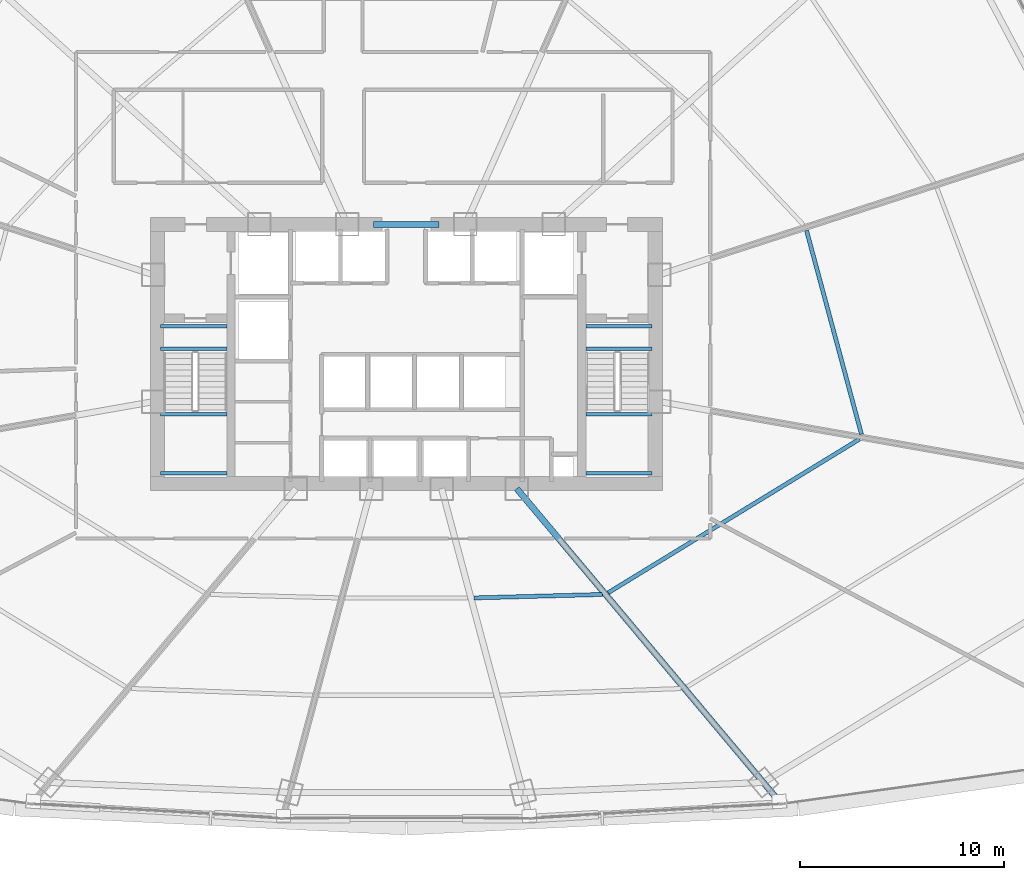
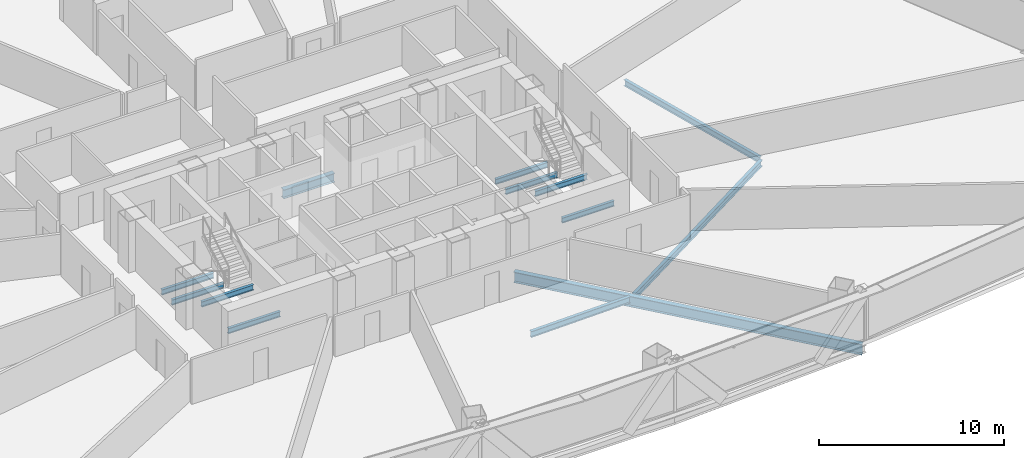
# One storey, part 13 of 37: 13 beams.
"""IFC4 building model written with IfcOpenShell, lengths in metres."""

import ifcopenshell
import ifcopenshell.guid

model = None  # the IFC model being written
_history = None  # IfcOwnerHistory: only IFC2X3 demands one
_inside = {}  # id of a spatial element -> (the spatial element, [elements in it])
_under = {}  # id of a project, library or spatial element -> (it, [spatial elements below it])
_declared = {}  # id of a project -> (the project, [libraries it declares])
_typed = {}  # id of a type object -> (the type object, [elements of that type])
_made_of = {}  # id of a material, layer set ... -> (it, [elements and type objects made of it])


def new_model(schema):
    """Start an empty IFC model of exactly this schema.

    Asked for "IFC4X3", IfcOpenShell would pick the latest addendum, in which some entities
    have other attributes; the version numbers below select the first issue.
    IFC2X3 requires an IfcOwnerHistory on every rooted entity: one is made here for all.
    """
    global model, _history
    if schema == "IFC4X3":
        model = ifcopenshell.file(schema_version=(4, 3, 0, 0))
    else:
        model = ifcopenshell.file(schema=schema)
    _inside.clear()
    _under.clear()
    _declared.clear()
    _typed.clear()
    _made_of.clear()
    _history = None
    if model.schema == "IFC2X3":
        org = make("IfcOrganization", Name="unknown")
        user = make(
            "IfcPersonAndOrganization",
            ThePerson=make("IfcPerson", FamilyName="unknown"),
            TheOrganization=org,
        )
        app = make(
            "IfcApplication",
            ApplicationDeveloper=org,
            Version="unknown",
            ApplicationFullName="unknown",
            ApplicationIdentifier="unknown",
        )
        _history = make(
            "IfcOwnerHistory",
            OwningUser=user,
            OwningApplication=app,
            ChangeAction="ADDED",
            CreationDate=0,
        )
    return model


def make(cls, **values):
    """One entity of the class cls with the attributes given. An attribute that is None is left unset."""
    return model.create_entity(
        cls, **{name: value for name, value in values.items() if value is not None}
    )


def rooted(cls, **values):
    """An entity with a GlobalId (a new one), such as an element, a storey or a relation."""
    return make(cls, GlobalId=ifcopenshell.guid.new(), OwnerHistory=_history, **values)


def si_unit(unit_type, name, prefix=None):
    """IfcSIUnit, for example si_unit("LENGTHUNIT", "METRE", prefix="MILLI")."""
    return make("IfcSIUnit", UnitType=unit_type, Prefix=prefix, Name=name)


def assignment(units):
    """IfcUnitAssignment: the units of a project."""
    return None if units is None else make("IfcUnitAssignment", Units=units)


def point(xyz):
    """IfcCartesianPoint."""
    return None if xyz is None else make("IfcCartesianPoint", Coordinates=xyz)


def direction(xyz):
    """IfcDirection."""
    return None if xyz is None else make("IfcDirection", DirectionRatios=xyz)


def frame(location, z_axis=None, x_axis=None):
    """IfcAxis2Placement3D, a coordinate frame: its origin and axes. An axis left out is left unset."""
    return make(
        "IfcAxis2Placement3D",
        Location=point(location),
        Axis=direction(z_axis),
        RefDirection=direction(x_axis),
    )


def frame_2d(location, x_axis=None):
    """IfcAxis2Placement2D, a coordinate frame in the plane: its origin and x axis."""
    return make(
        "IfcAxis2Placement2D", Location=point(location), RefDirection=direction(x_axis)
    )


def origin():
    """The frame at (0, 0, 0) with its axes left unset."""
    return frame((0.0, 0.0, 0.0))


def origin_2d():
    """The frame at (0, 0) in the plane with its x axis left unset."""
    return frame_2d((0.0, 0.0))


def place(relative_to, where):
    """IfcLocalPlacement: puts the frame where relative to a parent placement (None: the world)."""
    return make(
        "IfcLocalPlacement", PlacementRelTo=relative_to, RelativePlacement=where
    )


def context(
    kind, dimensions, precision=None, world=None, true_north=None, identifier=None
):
    """IfcGeometricRepresentationContext, for example the 3D "Model" context."""
    return make(
        "IfcGeometricRepresentationContext",
        ContextIdentifier=identifier,
        ContextType=kind,
        CoordinateSpaceDimension=dimensions,
        Precision=precision,
        WorldCoordinateSystem=world,
        TrueNorth=true_north,
    )


def subcontext(parent, identifier, kind, view, scale=None):
    """IfcGeometricRepresentationSubContext, for example "Body" below "Model"."""
    return make(
        "IfcGeometricRepresentationSubContext",
        ContextIdentifier=identifier,
        ContextType=kind,
        ParentContext=parent,
        TargetScale=scale,
        TargetView=view,
    )


def project(units=None, contexts=None):
    """IfcProject with its units and contexts."""
    return rooted(
        "IfcProject",
        Name="project",
        RepresentationContexts=contexts,
        UnitsInContext=assignment(units),
    )


def spatial(cls, under=None, at=None, **own):
    """A site, building, storey or space (cls), placed at a placement, below another one or the project."""
    s = rooted(cls, ObjectPlacement=at, **own)
    if under is not None:
        _under.setdefault(under.id(), (under, []))[1].append(s)
    return s


def profile(cls, at=None, kind="AREA", **sizes):
    """A parametric profile (cls). Its sizes go by their IFC names, for example OverallWidth=200.0."""
    return make(cls, ProfileType=kind, Position=at, **sizes)


def i_section(**sizes):
    """IfcIShapeProfileDef."""
    return profile("IfcIShapeProfileDef", **sizes)


def extrude(swept, where, along, depth):
    """IfcExtrudedAreaSolid: the profile swept, set in the frame where, extruded along a direction by depth."""
    return make(
        "IfcExtrudedAreaSolid",
        SweptArea=swept,
        Position=where,
        ExtrudedDirection=direction(along),
        Depth=depth,
    )


def shape(context_of_items, identifier, shape_type, items):
    """IfcShapeRepresentation: the items that make up one representation, for example the "Body"."""
    return make(
        "IfcShapeRepresentation",
        ContextOfItems=context_of_items,
        RepresentationIdentifier=identifier,
        RepresentationType=shape_type,
        Items=items,
    )


def source(mapping_origin, context_of_items, identifier, shape_type, items):
    """IfcRepresentationMap: a shape defined once, which mapped items show again and again."""
    return make(
        "IfcRepresentationMap",
        MappingOrigin=mapping_origin,
        MappedRepresentation=shape(context_of_items, identifier, shape_type, items),
    )


def transform(
    local_origin,
    x_axis=None,
    y_axis=None,
    z_axis=None,
    scale=None,
    scale2=None,
    scale3=None,
    uniform=True,
):
    """IfcCartesianTransformationOperator3D, or its non-uniform kind. x_axis, y_axis, z_axis: its Axis1, 2, 3."""
    if uniform:
        return make(
            "IfcCartesianTransformationOperator3D",
            Axis1=direction(x_axis),
            Axis2=direction(y_axis),
            LocalOrigin=point(local_origin),
            Scale=scale,
            Axis3=direction(z_axis),
        )
    return make(
        "IfcCartesianTransformationOperator3DnonUniform",
        Axis1=direction(x_axis),
        Axis2=direction(y_axis),
        LocalOrigin=point(local_origin),
        Scale=scale,
        Axis3=direction(z_axis),
        Scale2=scale2,
        Scale3=scale3,
    )


def mapped(mapping_source, mapping_target):
    """IfcMappedItem: shows the shape of a source again, moved by a transform."""
    return make(
        "IfcMappedItem", MappingSource=mapping_source, MappingTarget=mapping_target
    )


def material(Name=None, Category=None):
    """IfcMaterial."""
    return make("IfcMaterial", Name=Name, Category=Category)


def material_profile(
    of_material, cross_section, Name=None, Category=None, Priority=None
):
    """IfcMaterialProfile: a cross section and its material."""
    return make(
        "IfcMaterialProfile",
        Name=Name,
        Material=of_material,
        Profile=cross_section,
        Priority=Priority,
        Category=Category,
    )


def profile_set(profiles, Name=None, composite=None):
    """IfcMaterialProfileSet."""
    return make(
        "IfcMaterialProfileSet",
        Name=Name,
        MaterialProfiles=profiles,
        CompositeProfile=composite,
    )


def made_of(thing, what):
    """Note that an element or type object is made of a material, layer set ...; save() writes the relation."""
    if what is not None:
        _made_of.setdefault(what.id(), (what, []))[1].append(thing)
    return thing


def type_object(cls, material=None, **own):
    """A type object (cls), such as IfcWallType, which elements share."""
    return made_of(rooted(cls, **own), material)


def element(
    cls,
    number,
    at=None,
    inside=None,
    cuts=None,
    type_object=None,
    material=None,
    context=None,
    identifier="Body",
    shape_type=None,
    held_by="IfcProductDefinitionShape",
    body=None,
    shapes=None,
    **own,
):
    """One element of the class cls, such as IfcWall. Its Tag is "e" and its number.

    at: its placement. inside: the storey or other place that contains it. cuts: it is an
    opening in that element (IfcRelVoidsElement). A single representation is given by context,
    identifier, shape_type and body (its items); several are given by shapes. held_by: the class
    of the entity that holds the representations. save() writes the other relations.
    """
    e = rooted(cls, Tag="e%d" % number, ObjectPlacement=at, **own)
    if body is not None:
        shapes = [shape(context, identifier, shape_type, body)]
    if shapes is not None:
        e.Representation = make(held_by, Representations=shapes)
    if inside is not None:
        _inside.setdefault(inside.id(), (inside, []))[1].append(e)
    if cuts is not None:
        rooted(
            "IfcRelVoidsElement", RelatingBuildingElement=cuts, RelatedOpeningElement=e
        )
    if type_object is not None:
        _typed.setdefault(type_object.id(), (type_object, []))[1].append(e)
    return made_of(e, material)


def aggregate(whole, parts):
    """IfcRelAggregates: a whole, such as a stair, and the parts it consists of."""
    return rooted("IfcRelAggregates", RelatingObject=whole, RelatedObjects=parts)


def save(model, path):
    """Write the relations noted so far, then the file.

    IfcRelAggregates (storeys below a building ...), IfcRelContainedInSpatialStructure (elements
    in a storey), IfcRelDefinesByType, IfcRelAssociatesMaterial and IfcRelDeclares: one each for
    every whole, place, type object, material and project.
    """
    for whole, parts in _under.values():
        aggregate(whole, parts)
    for where, things in _inside.values():
        rooted(
            "IfcRelContainedInSpatialStructure",
            RelatedElements=things,
            RelatingStructure=where,
        )
    for kind, things in _typed.values():
        rooted("IfcRelDefinesByType", RelatedObjects=things, RelatingType=kind)
    for what, things in _made_of.values():
        rooted("IfcRelAssociatesMaterial", RelatedObjects=things, RelatingMaterial=what)
    for by, libraries in _declared.values():
        rooted("IfcRelDeclares", RelatingContext=by, RelatedDefinitions=libraries)
    model.write(path)


model = new_model("IFC4")

# Units and contexts
model_context = context("Model", 3, precision=1e-05, world=origin(), true_north=direction((0.0, 1.0)))
body_context = subcontext(model_context, "Body", "Model", "MODEL_VIEW")
ifc_project = project(units=[si_unit("LENGTHUNIT", "METRE"), si_unit("AREAUNIT", "SQUARE_METRE"), si_unit("VOLUMEUNIT", "CUBIC_METRE"), si_unit("PLANEANGLEUNIT", "RADIAN"), si_unit("MASSUNIT", "GRAM", prefix="KILO"), si_unit("THERMODYNAMICTEMPERATUREUNIT", "KELVIN"), si_unit("POWERUNIT", "WATT")], contexts=[model_context])

# Site, building, storey
site_placement = place(None, origin())
site = spatial("IfcSite", under=ifc_project, at=site_placement, CompositionType="ELEMENT")
building_placement = place(site_placement, origin())
building = spatial("IfcBuilding", under=site, at=building_placement, Name="Yunzhuo Pagoda Commons", CompositionType="ELEMENT")
storey_placement = place(building_placement, frame((0.0, 0.0, 59.43994140625)))
storey = spatial("IfcBuildingStorey", under=building, at=storey_placement, Name="L15", CompositionType="ELEMENT", Elevation=59.43994140625)

# Beams
ifc_material_1 = material(Name="Structural steel Q355B", Category="steel")
ifc_material_profile_1 = material_profile(ifc_material_1, i_section(OverallWidth=0.175048828125, OverallDepth=0.35009765625, WebThickness=0.007080078125, FlangeThickness=0.010986328125, at=origin_2d()), Name="Structural steel Q355B")
ifc_profile_set_1 = profile_set([ifc_material_profile_1], Name="Structural steel Q355B")
beam_type_1 = type_object("IfcBeamType", Name="B-JS2 Joist HN 350x175x7x11", PredefinedType="JOIST", material=ifc_profile_set_1)
shared_shape_1 = source(origin(), body_context, "Body", "SweptSolid", [
    extrude(i_section(OverallWidth=0.175048828125, OverallDepth=0.35009765625, WebThickness=0.007080078125, FlangeThickness=0.010986328125, at=origin_2d()), origin(), (0.0, 0.0, 1.0), 3.25),
])
for number, where, z_axis, x_axis, name in (
    (1, (35.949951171875, 28.0, 1.43994140625), (1.0, 0.0, 0.0), (0.0, 1.0, 0.0), "L15 ST1 landing support beam 19A"),
    (2, (35.949951171875, 30.89990234375, 1.43994140625), (1.0, 0.0, 0.0), (0.0, 1.0, 0.0), "L15 ST1 landing support beam 19B"),
    (3, (35.949951171875, 34.10009765625, -0.375), (1.0, 0.0, 0.0), (0.0, 1.0, 0.0), "L15 ST1 landing support beam 119A"),
    (4, (35.949951171875, 35.199951171875, -0.375), (1.0, 0.0, 0.0), (0.0, 1.0, 0.0), "L15 ST1 landing support beam 119B"),
    (5, (56.800048828125, 28.0, 1.43994140625), (1.0, 0.0, 0.0), (0.0, 1.0, 0.0), "L15 ST2 landing support beam 19A"),
    (6, (56.800048828125, 30.89990234375, 1.43994140625), (1.0, 0.0, 0.0), (0.0, 1.0, 0.0), "L15 ST2 landing support beam 19B"),
    (7, (56.800048828125, 34.10009765625, -0.375), (1.0, 0.0, 0.0), (0.0, 1.0, 0.0), "L15 ST2 landing support beam 119A"),
    (8, (56.800048828125, 35.199951171875, -0.375), (1.0, 0.0, 0.0), (0.0, 1.0, 0.0), "L15 ST2 landing support beam 119B"),
):
    element("IfcBeam", number, at=place(storey_placement, frame(where, z_axis=z_axis, x_axis=x_axis)), inside=storey, type_object=beam_type_1, Name=name, PredefinedType="JOIST", context=body_context, shape_type="MappedRepresentation", body=[
        mapped(shared_shape_1, transform((0.0, 0.0, 0.0), scale=1.0)),
    ])
ifc_material_2 = material(Name="Structural steel Q420B", Category="steel")
ifc_material_profile_2 = material_profile(ifc_material_2, i_section(OverallWidth=0.300048828125, OverallDepth=0.587890625, WebThickness=0.011962890625, FlangeThickness=0.02001953125, at=origin_2d()), Name="Structural steel Q420B")
ifc_profile_set_2 = profile_set([ifc_material_profile_2], Name="Structural steel Q420B")
beam_type_2 = type_object("IfcBeamType", Name="B-CPL Beam HM 588x300x12x20", PredefinedType="BEAM", material=ifc_profile_set_2)
shared_shape_2 = source(origin(), body_context, "Body", "SweptSolid", [
    extrude(i_section(OverallWidth=0.300048828125, OverallDepth=0.587890625, WebThickness=0.011962890625, FlangeThickness=0.02001953125, at=origin_2d()), origin(), (0.0, 0.0, 1.0), 3.2001953125),
])
beam_1_placement = place(storey_placement, frame((46.39990234375, 40.199951171875, -0.553955078125), z_axis=(1.0, 0.0, 0.0), x_axis=(0.0, 1.0, 0.0)))
element("IfcBeam", 9, at=beam_1_placement, inside=storey, type_object=beam_type_2, Name="L15 core coupling girder", PredefinedType="BEAM", context=body_context, shape_type="MappedRepresentation", body=[
    mapped(shared_shape_2, transform((0.0, 0.0, 0.0), scale=1.0)),
])
ifc_material_profile_3 = material_profile(ifc_material_1, i_section(OverallWidth=0.199951171875, OverallDepth=0.39990234375, WebThickness=0.008056640625, FlangeThickness=0.012939453125, at=origin_2d()), Name="Structural steel Q355B")
ifc_profile_set_3 = profile_set([ifc_material_profile_3], Name="Structural steel Q355B")
beam_type_3 = type_object("IfcBeamType", Name="B-JS1 Joist HN 400x200x8x13", PredefinedType="JOIST", material=ifc_profile_set_3)
shared_shape_3 = source(origin(), body_context, "Body", "SweptSolid", [
    extrude(i_section(OverallWidth=0.199951171875, OverallDepth=0.39990234375, WebThickness=0.008056640625, FlangeThickness=0.012939453125, at=origin_2d()), origin(), (0.0, 0.0, 1.0), 6.283203125),
])
beam_2_placement = place(storey_placement, frame((51.32421875, 21.89111328125, -0.459716796875), z_axis=(0.999638450037, 0.026888086735, 0.0), x_axis=(-0.026888086735, 0.999638450037, 0.0)))
element("IfcBeam", 10, at=beam_2_placement, inside=storey, type_object=beam_type_3, Name="L15 composite ring joist 1.3", PredefinedType="JOIST", context=body_context, shape_type="MappedRepresentation", body=[
    mapped(shared_shape_3, transform((0.0, 0.0, 0.0), scale=1.0)),
])
shared_shape_4 = source(origin(), body_context, "Body", "SweptSolid", [
    extrude(i_section(OverallWidth=0.199951171875, OverallDepth=0.39990234375, WebThickness=0.008056640625, FlangeThickness=0.012939453125, at=origin_2d()), origin(), (0.0, 0.0, 1.0), 14.4365234375),
])
beam_3_placement = place(storey_placement, frame((57.8994140625, 22.14697265625, -0.459716796875), z_axis=(0.85325633277, 0.521491735876, 0.0), x_axis=(-0.521491735876, 0.85325633277, 0.0)))
element("IfcBeam", 11, at=beam_3_placement, inside=storey, type_object=beam_type_3, Name="L15 composite ring joist 1.4", PredefinedType="JOIST", context=body_context, shape_type="MappedRepresentation", body=[
    mapped(shared_shape_4, transform((0.0, 0.0, 0.0), scale=1.0)),
])
shared_shape_5 = source(origin(), body_context, "Body", "SweptSolid", [
    extrude(i_section(OverallWidth=0.199951171875, OverallDepth=0.39990234375, WebThickness=0.008056640625, FlangeThickness=0.012939453125, at=origin_2d()), origin(), (0.0, 0.0, 1.0), 10.351806640625),
])
beam_4_placement = place(storey_placement, frame((70.311767578125, 29.912109375, -0.459716796875), z_axis=(-0.260208595802, 0.965552425646, 0.0), x_axis=(-0.965552425646, -0.260208595802, 0.0)))
element("IfcBeam", 12, at=beam_4_placement, inside=storey, type_object=beam_type_3, Name="L15 composite ring joist 1.5", PredefinedType="JOIST", context=body_context, shape_type="MappedRepresentation", body=[
    mapped(shared_shape_5, transform((0.0, 0.0, 0.0), scale=1.0)),
])
ifc_material_profile_4 = material_profile(ifc_material_1, i_section(OverallWidth=0.300048828125, OverallDepth=0.699951171875, WebThickness=0.012939453125, FlangeThickness=0.02392578125, at=origin_2d()), Name="Structural steel Q355B")
ifc_profile_set_4 = profile_set([ifc_material_profile_4], Name="Structural steel Q355B")
beam_type_4 = type_object("IfcBeamType", Name="B-RG1 Beam HN 700x300x13x24", PredefinedType="BEAM", material=ifc_profile_set_4)
shared_shape_6 = source(origin(), body_context, "Body", "SweptSolid", [
    extrude(i_section(OverallWidth=0.300048828125, OverallDepth=0.699951171875, WebThickness=0.012939453125, FlangeThickness=0.02392578125, at=origin_2d()), origin(), (0.0, 0.0, 1.0), 20.031005859375),
])
beam_5_placement = place(storey_placement, frame((66.287841796875, 11.9052734375, -0.60986328125), z_axis=(-0.642786965849, 0.766044983362, 0.0), x_axis=(-0.766044983362, -0.642786965849, 0.0)))
element("IfcBeam", 13, at=beam_5_placement, inside=storey, type_object=beam_type_4, Name="L15 radial floor girder F1C4", PredefinedType="BEAM", context=body_context, shape_type="MappedRepresentation", body=[
    mapped(shared_shape_6, transform((0.0, 0.0, 0.0), scale=1.0)),
])

save(model, "model.ifc")
